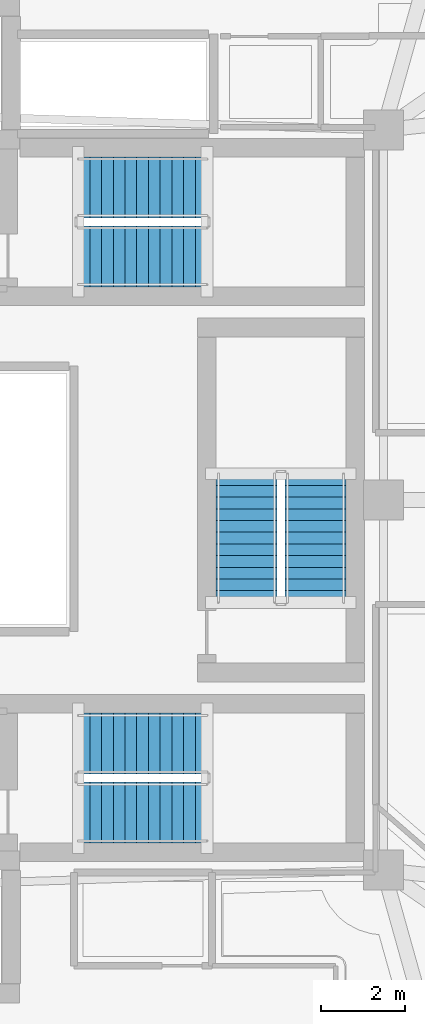
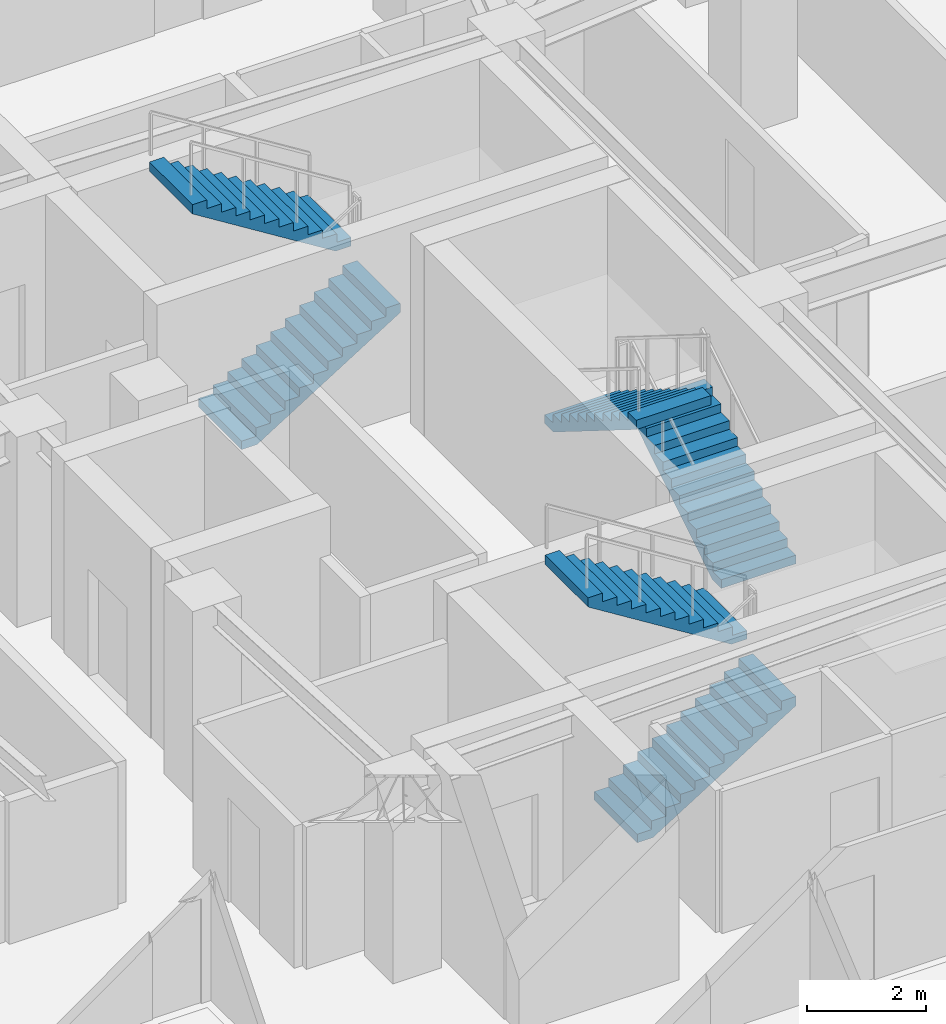
# One storey, part 12 of 15: 6 stair flights, 3 elements without a shape of their own.
"""IFC4 building model written with IfcOpenShell, lengths in metres."""

from ifc_helpers import new_model, si_unit, direction, frame, origin, place, context, subcontext, project, spatial, polyline, outline, extrude, material, type_object, element, aggregate, save


model = new_model("IFC4")

# Units and contexts
model_context = context("Model", 3, precision=1e-05, world=origin(), true_north=direction((0.0, 1.0)))
body_context = subcontext(model_context, "Body", "Model", "MODEL_VIEW")
ifc_project = project(units=[si_unit("LENGTHUNIT", "METRE"), si_unit("AREAUNIT", "SQUARE_METRE"), si_unit("VOLUMEUNIT", "CUBIC_METRE"), si_unit("PLANEANGLEUNIT", "RADIAN"), si_unit("MASSUNIT", "GRAM", prefix="KILO")], contexts=[model_context])

# Site, building, storey
site_placement = place(None, origin())
site = spatial("IfcSite", under=ifc_project, at=site_placement, CompositionType="ELEMENT")
building_placement = place(site_placement, origin())
building = spatial("IfcBuilding", under=site, at=building_placement, Name="Korentha Bioscience Tower", CompositionType="ELEMENT")
storey_placement = place(building_placement, frame((0.0, 0.0, 76.199951171875)))
storey = spatial("IfcBuildingStorey", under=building, at=storey_placement, Name="L17", CompositionType="ELEMENT", Elevation=76.199951171875)

# Stair, stair flights
ifc_material = material(Name="Precast Concrete C50", Category="concrete")
stair_type = type_object("IfcStairType", Name="Core Exit Dog-Leg Stair 1450", PredefinedType="HALF_TURN_STAIR", material=ifc_material)
stair_1_placement = place(storey_placement, origin())
stair_1 = element("IfcStair", 1, at=stair_1_placement, inside=storey, type_object=stair_type, Name="L17 Tower North Pressurized Exit Stair ST-1", PredefinedType="HALF_TURN_STAIR")
stair_flight_type = type_object("IfcStairFlightType", Name="Core Exit Dog-Leg Stair 1450 Flight", PredefinedType="STRAIGHT", material=ifc_material)
stair_flight_1_placement = place(storey_placement, frame((30.25, 32.824951171875, 0.0), z_axis=(0.0, 0.0, 1.0), x_axis=(1.0, 0.0, 0.0)))
stair_flight_1 = element("IfcStairFlight", 2, at=stair_flight_1_placement, type_object=stair_flight_type, Name="ST-1 flight 1", NumberOfRisers=12, NumberOfTreads=11, PredefinedType="STRAIGHT", RiserHeight=0.175, TreadLength=0.28, context=body_context, shape_type="SweptSolid", body=[
    extrude(outline(polyline([(0.0, 0.0), (0.0, 0.175048828125), (0.280029296875, 0.175048828125), (0.280029296875, 0.35009765625), (0.56005859375, 0.35009765625), (0.56005859375, 0.52490234375), (0.840087890625, 0.52490234375), (0.840087890625, 0.699951171875), (1.1201171875, 0.699951171875), (1.1201171875, 0.875), (1.39990234375, 0.875), (1.39990234375, 1.050048828125), (1.679931640625, 1.050048828125), (1.679931640625, 1.22509765625), (1.9599609375, 1.22509765625), (1.9599609375, 1.39990234375), (2.239990234375, 1.39990234375), (2.239990234375, 1.574951171875), (2.52001953125, 1.574951171875), (2.52001953125, 1.75), (2.800048828125, 1.75), (2.800048828125, 1.925048828125), (3.080078125, 1.925048828125), (3.080078125, 2.10009765625), (3.080078125, 1.736328125), (0.3017578125, 0.0), (0.0, 0.0)])), frame((0.0, 0.72509765625, 0.0), z_axis=(0.0, -1.0, 0.0), x_axis=(1.0, 0.0, 0.0)), (0.0, 0.0, 1.0), 1.449951171875),
])
stair_flight_2_placement = place(storey_placement, frame((33.330078125, 34.47509765625, 2.10009765625), z_axis=(0.0, 0.0, 1.0), x_axis=(-1.0, 0.0, 0.0)))
stair_flight_2 = element("IfcStairFlight", 3, at=stair_flight_2_placement, type_object=stair_flight_type, Name="ST-1 flight 2", NumberOfRisers=12, NumberOfTreads=11, PredefinedType="STRAIGHT", RiserHeight=0.175, TreadLength=0.28, context=body_context, shape_type="SweptSolid", body=[
    extrude(outline(polyline([(0.0, 0.0), (0.0, 0.175048828125), (0.280029296875, 0.175048828125), (0.280029296875, 0.35009765625), (0.56005859375, 0.35009765625), (0.56005859375, 0.52490234375), (0.840087890625, 0.52490234375), (0.840087890625, 0.699951171875), (1.1201171875, 0.699951171875), (1.1201171875, 0.875), (1.39990234375, 0.875), (1.39990234375, 1.050048828125), (1.679931640625, 1.050048828125), (1.679931640625, 1.22509765625), (1.9599609375, 1.22509765625), (1.9599609375, 1.39990234375), (2.239990234375, 1.39990234375), (2.239990234375, 1.574951171875), (2.52001953125, 1.574951171875), (2.52001953125, 1.75), (2.800048828125, 1.75), (2.800048828125, 1.925048828125), (3.080078125, 1.925048828125), (3.080078125, 2.10009765625), (3.080078125, 1.736328125), (0.3017578125, 0.0), (0.0, 0.0)])), frame((0.0, 0.72509765625, 0.0), z_axis=(0.0, -1.0, 0.0), x_axis=(1.0, 0.0, 0.0)), (0.0, 0.0, 1.0), 1.449951171875),
])
aggregate(stair_1, [stair_flight_1, stair_flight_2])

stair_2_placement = place(storey_placement, origin())
stair_2 = element("IfcStair", 4, at=stair_2_placement, inside=storey, type_object=stair_type, Name="L17 Tower South Pressurized Exit Stair ST-2", PredefinedType="HALF_TURN_STAIR")
stair_flight_3_placement = place(storey_placement, frame((30.25, 19.52490234375, 0.0), z_axis=(0.0, 0.0, 1.0), x_axis=(1.0, 0.0, 0.0)))
stair_flight_3 = element("IfcStairFlight", 5, at=stair_flight_3_placement, type_object=stair_flight_type, Name="ST-2 flight 1", NumberOfRisers=12, NumberOfTreads=11, PredefinedType="STRAIGHT", RiserHeight=0.175, TreadLength=0.28, context=body_context, shape_type="SweptSolid", body=[
    extrude(outline(polyline([(0.0, 0.0), (0.0, 0.175048828125), (0.280029296875, 0.175048828125), (0.280029296875, 0.35009765625), (0.56005859375, 0.35009765625), (0.56005859375, 0.52490234375), (0.840087890625, 0.52490234375), (0.840087890625, 0.699951171875), (1.1201171875, 0.699951171875), (1.1201171875, 0.875), (1.39990234375, 0.875), (1.39990234375, 1.050048828125), (1.679931640625, 1.050048828125), (1.679931640625, 1.22509765625), (1.9599609375, 1.22509765625), (1.9599609375, 1.39990234375), (2.239990234375, 1.39990234375), (2.239990234375, 1.574951171875), (2.52001953125, 1.574951171875), (2.52001953125, 1.75), (2.800048828125, 1.75), (2.800048828125, 1.925048828125), (3.080078125, 1.925048828125), (3.080078125, 2.10009765625), (3.080078125, 1.736328125), (0.3017578125, 0.0), (0.0, 0.0)])), frame((0.0, 0.72509765625, 0.0), z_axis=(0.0, -1.0, 0.0), x_axis=(1.0, 0.0, 0.0)), (0.0, 0.0, 1.0), 1.449951171875),
])
stair_flight_4_placement = place(storey_placement, frame((33.330078125, 21.175048828125, 2.10009765625), z_axis=(0.0, 0.0, 1.0), x_axis=(-1.0, 0.0, 0.0)))
stair_flight_4 = element("IfcStairFlight", 6, at=stair_flight_4_placement, type_object=stair_flight_type, Name="ST-2 flight 2", NumberOfRisers=12, NumberOfTreads=11, PredefinedType="STRAIGHT", RiserHeight=0.175, TreadLength=0.28, context=body_context, shape_type="SweptSolid", body=[
    extrude(outline(polyline([(0.0, 0.0), (0.0, 0.175048828125), (0.280029296875, 0.175048828125), (0.280029296875, 0.35009765625), (0.56005859375, 0.35009765625), (0.56005859375, 0.52490234375), (0.840087890625, 0.52490234375), (0.840087890625, 0.699951171875), (1.1201171875, 0.699951171875), (1.1201171875, 0.875), (1.39990234375, 0.875), (1.39990234375, 1.050048828125), (1.679931640625, 1.050048828125), (1.679931640625, 1.22509765625), (1.9599609375, 1.22509765625), (1.9599609375, 1.39990234375), (2.239990234375, 1.39990234375), (2.239990234375, 1.574951171875), (2.52001953125, 1.574951171875), (2.52001953125, 1.75), (2.800048828125, 1.75), (2.800048828125, 1.925048828125), (3.080078125, 1.925048828125), (3.080078125, 2.10009765625), (3.080078125, 1.736328125), (0.3017578125, 0.0), (0.0, 0.0)])), frame((0.0, 0.72509765625, 0.0), z_axis=(0.0, -1.0, 0.0), x_axis=(1.0, 0.0, 0.0)), (0.0, 0.0, 1.0), 1.449951171875),
])
aggregate(stair_2, [stair_flight_3, stair_flight_4])

stair_3_placement = place(storey_placement, origin())
stair_3 = element("IfcStair", 7, at=stair_3_placement, inside=storey, type_object=stair_type, Name="L17 Tower Central Pressurized Exit Stair ST-3", PredefinedType="HALF_TURN_STAIR")
stair_flight_5_placement = place(storey_placement, frame((35.925048828125, 24.550048828125, 0.0), z_axis=(0.0, 0.0, 1.0), x_axis=(0.0, 1.0, 0.0)))
stair_flight_5 = element("IfcStairFlight", 8, at=stair_flight_5_placement, type_object=stair_flight_type, Name="ST-3 flight 1", NumberOfRisers=12, NumberOfTreads=11, PredefinedType="STRAIGHT", RiserHeight=0.175, TreadLength=0.28, context=body_context, shape_type="SweptSolid", body=[
    extrude(outline(polyline([(0.0, 0.0), (0.0, 0.175048828125), (0.280029296875, 0.175048828125), (0.280029296875, 0.35009765625), (0.56005859375, 0.35009765625), (0.56005859375, 0.52490234375), (0.840087890625, 0.52490234375), (0.840087890625, 0.699951171875), (1.1201171875, 0.699951171875), (1.1201171875, 0.875), (1.39990234375, 0.875), (1.39990234375, 1.050048828125), (1.679931640625, 1.050048828125), (1.679931640625, 1.22509765625), (1.9599609375, 1.22509765625), (1.9599609375, 1.39990234375), (2.239990234375, 1.39990234375), (2.239990234375, 1.574951171875), (2.52001953125, 1.574951171875), (2.52001953125, 1.75), (2.800048828125, 1.75), (2.800048828125, 1.925048828125), (3.080078125, 1.925048828125), (3.080078125, 2.10009765625), (3.080078125, 1.736328125), (0.3017578125, 0.0), (0.0, 0.0)])), frame((0.0, 0.72509765625, 0.0), z_axis=(0.0, -1.0, 0.0), x_axis=(1.0, 0.0, 0.0)), (0.0, 0.0, 1.0), 1.449951171875),
])
stair_flight_6_placement = place(storey_placement, frame((34.27490234375, 27.6298828125, 2.10009765625), z_axis=(0.0, 0.0, 1.0), x_axis=(0.0, -1.0, 0.0)))
stair_flight_6 = element("IfcStairFlight", 9, at=stair_flight_6_placement, type_object=stair_flight_type, Name="ST-3 flight 2", NumberOfRisers=12, NumberOfTreads=11, PredefinedType="STRAIGHT", RiserHeight=0.175, TreadLength=0.28, context=body_context, shape_type="SweptSolid", body=[
    extrude(outline(polyline([(0.0, 0.0), (0.0, 0.175048828125), (0.280029296875, 0.175048828125), (0.280029296875, 0.35009765625), (0.56005859375, 0.35009765625), (0.56005859375, 0.52490234375), (0.840087890625, 0.52490234375), (0.840087890625, 0.699951171875), (1.1201171875, 0.699951171875), (1.1201171875, 0.875), (1.39990234375, 0.875), (1.39990234375, 1.050048828125), (1.679931640625, 1.050048828125), (1.679931640625, 1.22509765625), (1.9599609375, 1.22509765625), (1.9599609375, 1.39990234375), (2.239990234375, 1.39990234375), (2.239990234375, 1.574951171875), (2.52001953125, 1.574951171875), (2.52001953125, 1.75), (2.800048828125, 1.75), (2.800048828125, 1.925048828125), (3.080078125, 1.925048828125), (3.080078125, 2.10009765625), (3.080078125, 1.736328125), (0.3017578125, 0.0), (0.0, 0.0)])), frame((0.0, 0.72509765625, 0.0), z_axis=(0.0, -1.0, 0.0), x_axis=(1.0, 0.0, 0.0)), (0.0, 0.0, 1.0), 1.449951171875),
])
aggregate(stair_3, [stair_flight_5, stair_flight_6])

save(model, "model.ifc")
